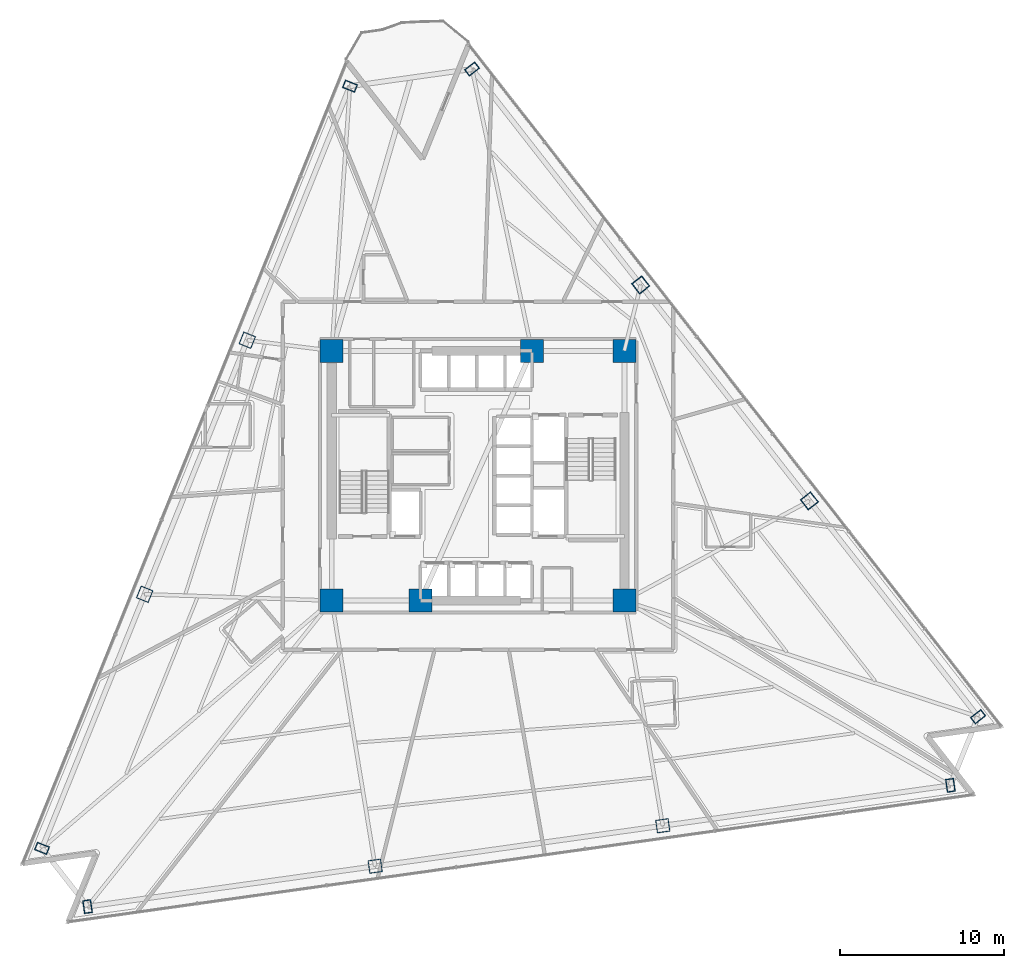
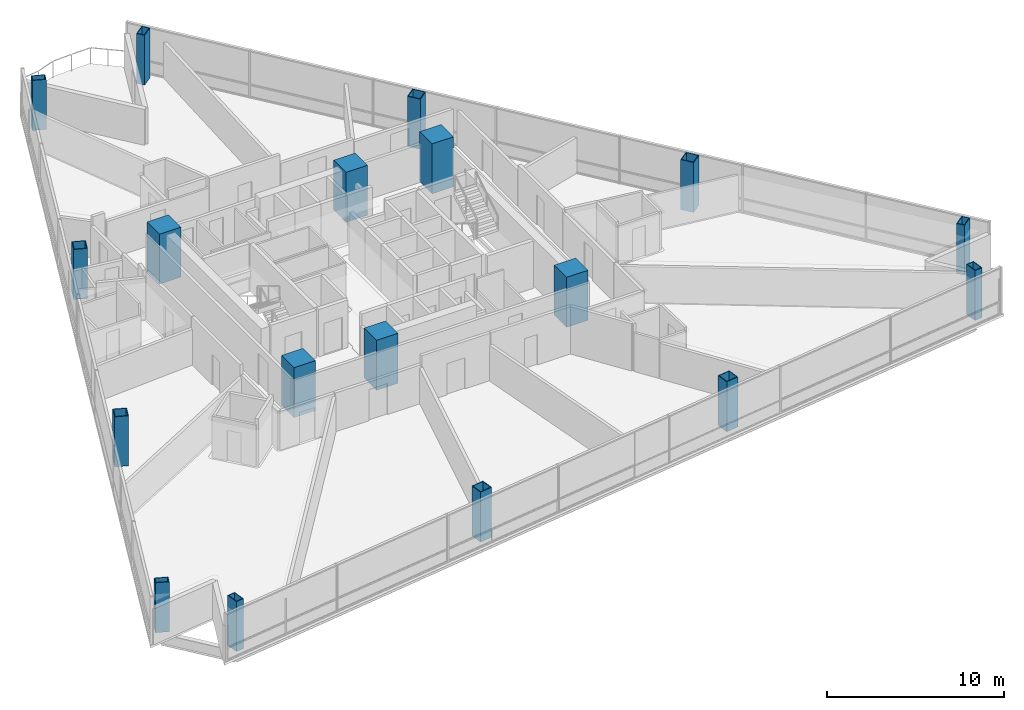
# One storey, part 1 of 15: 18 columns.
"""IFC4 building model written with IfcOpenShell, lengths in metres."""

from ifc_helpers import new_model, si_unit, direction, frame, origin, origin_2d, place, context, subcontext, project, spatial, rectangle, hollow_rectangle, extrude, material, material_profile, profile_set, type_object, element, save


model = new_model("IFC4")

# Units and contexts
model_context = context("Model", 3, precision=1e-05, world=origin(), true_north=direction((0.0, 1.0)))
body_context = subcontext(model_context, "Body", "Model", "MODEL_VIEW")
ifc_project = project(units=[si_unit("LENGTHUNIT", "METRE"), si_unit("AREAUNIT", "SQUARE_METRE"), si_unit("VOLUMEUNIT", "CUBIC_METRE"), si_unit("PLANEANGLEUNIT", "RADIAN"), si_unit("MASSUNIT", "GRAM", prefix="KILO")], contexts=[model_context])

# Site, building, storey
site_placement = place(None, origin())
site = spatial("IfcSite", under=ifc_project, at=site_placement, CompositionType="ELEMENT")
building_placement = place(site_placement, origin())
building = spatial("IfcBuilding", under=site, at=building_placement, Name="Tharavind Bronze Gate", CompositionType="ELEMENT")
storey_placement = place(building_placement, frame((0.0, 0.0, 67.300048828125)))
storey = spatial("IfcBuildingStorey", under=building, at=storey_placement, Name="L16", CompositionType="ELEMENT", Elevation=67.300048828125)

# Columns
ifc_material_1 = material(Name="Steel S460", Category="steel")
ifc_material_profile_1 = material_profile(ifc_material_1, hollow_rectangle(XDim=0.5, YDim=0.800048828125, WallThickness=0.0400390625, at=origin_2d()), Name="RHS800X500X40")
ifc_profile_set_1 = profile_set([ifc_material_profile_1], Name="Steel S460")
column_type_1 = type_object("IfcColumnType", Name="CORNER NOTCH COLUMN RHS800X500", PredefinedType="COLUMN", material=ifc_profile_set_1)
for number, where, z_axis, x_axis, name in (
    (1, (-7.7919921875, 23.69775390625, 0.0), (0.0, 0.0, 1.0), (0.374608211656, 0.927183200754, 0.0), "L16 perimeter column S1C1"),
    (2, (-26.525146484375, -22.66845703125, 0.0), (0.0, 0.0, 1.0), (0.374608211656, 0.927183200754, 0.0), "L16 perimeter column S1C4"),
    (3, (-23.754638671875, -26.21435546875, 0.0), (0.0, 0.0, 1.0), (0.990268068742, 0.13917310096, 0.0), "L16 perimeter column S2C1"),
    (4, (28.737060546875, -18.837158203125, 0.0), (0.0, 0.0, 1.0), (0.990268068742, 0.13917310096, 0.0), "L16 perimeter column S2C4"),
    (5, (30.422607421875, -14.664794921875, 0.0), (0.0, 0.0, 1.0), (-0.615661475326, 0.788010753607, 0.0), "L16 perimeter column S3C1"),
    (6, (-0.364990234375, 24.741455078125, 0.0), (0.0, 0.0, 1.0), (-0.615661475326, 0.788010753607, 0.0), "L16 perimeter column S3C4"),
):
    element("IfcColumn", number, at=place(storey_placement, frame(where, z_axis=z_axis, x_axis=x_axis)), inside=storey, type_object=column_type_1, Name=name, PredefinedType="COLUMN", context=body_context, shape_type="SweptSolid", body=[
        extrude(hollow_rectangle(XDim=0.5, YDim=0.800048828125, WallThickness=0.0400390625, at=origin_2d()), origin(), (0.0, 0.0, 1.0), 3.449951171875),
    ])
ifc_material_2 = material(Name="Concrete C70/85", Category="concrete")
ifc_material_profile_2 = material_profile(ifc_material_2, rectangle(XDim=1.39990234375, YDim=1.39990234375, at=origin_2d()), Name="RCCOL1400")
ifc_profile_set_2 = profile_set([ifc_material_profile_2], Name="Concrete C70/85")
column_type_2 = type_object("IfcColumnType", Name="MEGA CORE COLUMN 1400", PredefinedType="COLUMN", material=ifc_profile_set_2)
for number, where, z_axis, x_axis, name in (
    (7, (-8.89990234375, -7.60009765625, 0.0), (0.0, 0.0, 1.0), (1.0, 0.0, 0.0), "L16 core mega column MC1"),
    (8, (-3.5, -7.60009765625, 0.0), (0.0, 0.0, 1.0), (1.0, 0.0, 0.0), "L16 core mega column MC2"),
    (9, (8.89990234375, -7.60009765625, 0.0), (0.0, 0.0, 1.0), (1.0, 0.0, 0.0), "L16 core mega column MC3"),
    (10, (8.89990234375, 7.60009765625, 0.0), (0.0, 0.0, 1.0), (1.0, 0.0, 0.0), "L16 core mega column MC4"),
    (11, (3.280029296875, 7.60009765625, 0.0), (0.0, 0.0, 1.0), (1.0, 0.0, 0.0), "L16 core mega column MC5"),
    (12, (-8.89990234375, 7.60009765625, 0.0), (0.0, 0.0, 1.0), (1.0, 0.0, 0.0), "L16 core mega column MC6"),
):
    element("IfcColumn", number, at=place(storey_placement, frame(where, z_axis=z_axis, x_axis=x_axis)), inside=storey, type_object=column_type_2, Name=name, PredefinedType="COLUMN", context=body_context, shape_type="SweptSolid", body=[
        extrude(rectangle(XDim=1.39990234375, YDim=1.39990234375, at=origin_2d()), origin(), (0.0, 0.0, 1.0), 3.449951171875),
    ])
ifc_material_profile_3 = material_profile(ifc_material_1, hollow_rectangle(XDim=0.800048828125, YDim=0.800048828125, WallThickness=0.044921875, at=origin_2d()), Name="SHS800X45")
ifc_profile_set_3 = profile_set([ifc_material_profile_3], Name="Steel S460")
column_type_3 = type_object("IfcColumnType", Name="PERIMETER BOX COLUMN SHS800", PredefinedType="COLUMN", material=ifc_profile_set_3)
for number, where, z_axis, x_axis, name in (
    (13, (-14.036376953125, 8.2421875, 0.0), (0.0, 0.0, 1.0), (0.374608211656, 0.927183200754, 0.0), "L16 perimeter column S1C2"),
    (14, (-20.28076171875, -7.212890625, 0.0), (0.0, 0.0, 1.0), (0.374608211656, 0.927183200754, 0.0), "L16 perimeter column S1C3"),
    (15, (-6.25732421875, -23.75537109375, 0.0), (0.0, 0.0, 1.0), (0.990268068742, 0.13917310096, 0.0), "L16 perimeter column S2C2"),
    (16, (11.23974609375, -21.29638671875, 0.0), (0.0, 0.0, 1.0), (0.990268068742, 0.13917310096, 0.0), "L16 perimeter column S2C3"),
    (17, (20.16015625, -1.529296875, 0.0), (0.0, 0.0, 1.0), (-0.615661475326, 0.788010753607, 0.0), "L16 perimeter column S3C2"),
    (18, (9.897705078125, 11.60595703125, 0.0), (0.0, 0.0, 1.0), (-0.615661475326, 0.788010753607, 0.0), "L16 perimeter column S3C3"),
):
    element("IfcColumn", number, at=place(storey_placement, frame(where, z_axis=z_axis, x_axis=x_axis)), inside=storey, type_object=column_type_3, Name=name, PredefinedType="COLUMN", context=body_context, shape_type="SweptSolid", body=[
        extrude(hollow_rectangle(XDim=0.800048828125, YDim=0.800048828125, WallThickness=0.044921875, at=origin_2d()), origin(), (0.0, 0.0, 1.0), 3.449951171875),
    ])

save(model, "model.ifc")
